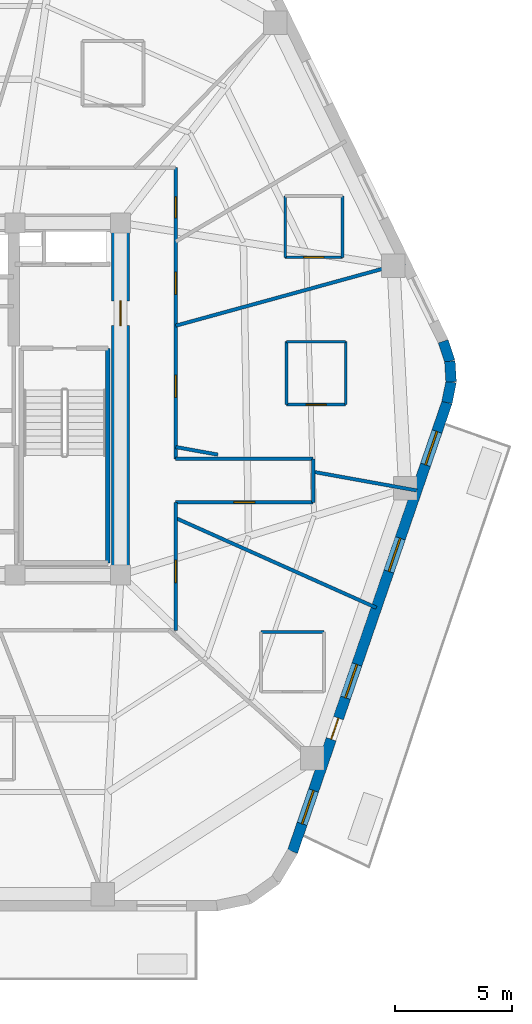
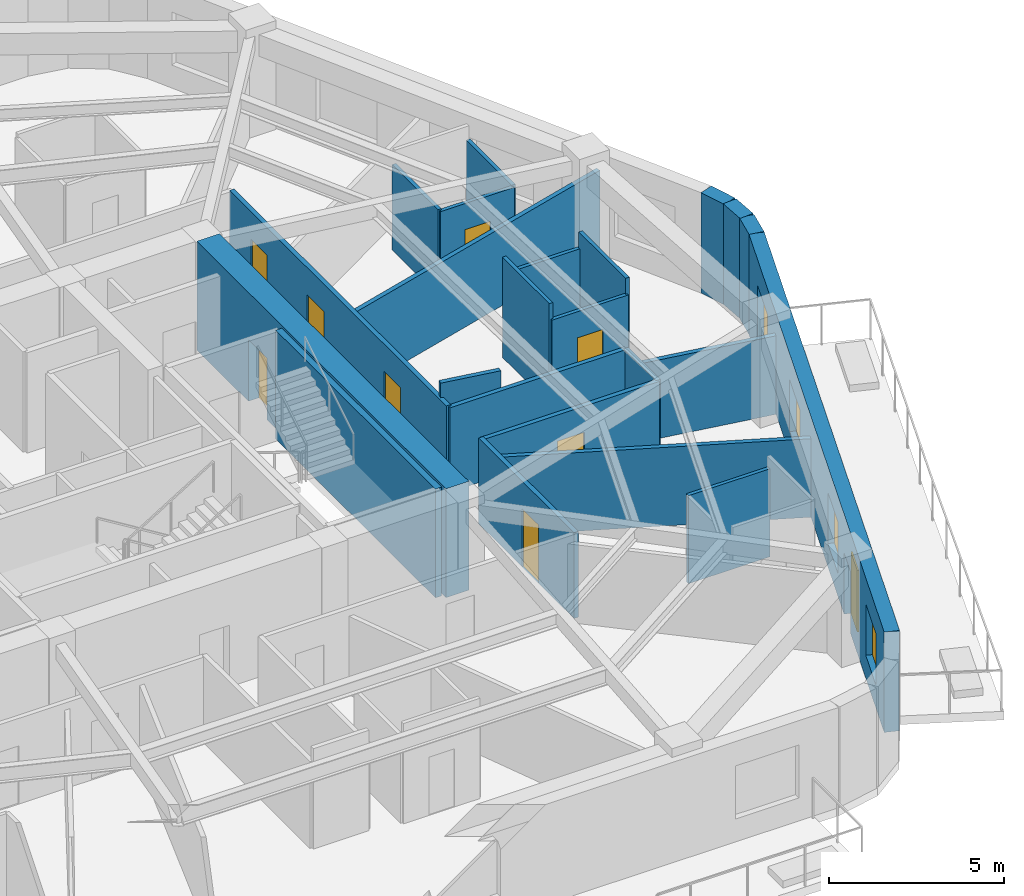
# One storey, part 5 of 9: 23 walls, 9 doors, 4 windows, 13 openings.
"""IFC4 building model written with IfcOpenShell, lengths in metres."""

from ifc_helpers import new_model, si_unit, direction, frame, frame_2d, origin, place, context, subcontext, project, spatial, rectangle, extrude, material, layer, layer_set, type_object, element, fill, save


model = new_model("IFC4")

# Units and contexts
model_context = context("Model", 3, precision=1e-05, world=origin(), true_north=direction((0.0, 1.0)))
body_context = subcontext(model_context, "Body", "Model", "MODEL_VIEW")
ifc_project = project(units=[si_unit("LENGTHUNIT", "METRE"), si_unit("AREAUNIT", "SQUARE_METRE"), si_unit("VOLUMEUNIT", "CUBIC_METRE"), si_unit("PLANEANGLEUNIT", "RADIAN"), si_unit("MASSUNIT", "GRAM", prefix="KILO")], contexts=[model_context])

# Site, building, storey
site_placement = place(None, origin())
site = spatial("IfcSite", under=ifc_project, at=site_placement, CompositionType="ELEMENT")
building_placement = place(site_placement, origin())
building = spatial("IfcBuilding", under=site, at=building_placement, Name="Kilnhurst Terrace Hotel", CompositionType="ELEMENT")
storey_placement = place(building_placement, frame((0.0, 0.0, 221.699951171875)))
storey = spatial("IfcBuildingStorey", under=building, at=storey_placement, Name="L55", CompositionType="ELEMENT", Elevation=221.699951171875)

# Walls
ifc_material_1 = material(Name="Precast concrete C40/50", Category="concrete")
ifc_layer_1 = layer(ifc_material_1, 0.449951171875, Name="Precast concrete C40/50")
ifc_layer_set_1 = layer_set([ifc_layer_1], Name="Precast concrete C40/50")
wall_type_1 = type_object("IfcWallType", Name="WL-BRK-450", PredefinedType="SOLIDWALL", material=ifc_layer_set_1)
wall_1_placement = place(storey_placement, frame((22.8984375, -0.149658203125, 0.0), z_axis=(0.0, 0.0, 1.0), x_axis=(0.199055826889, 0.979988151858, 0.0)))
element("IfcWall", 1, at=wall_1_placement, inside=storey, type_object=wall_type_1, Name="L55 Rounded Corner Brick Wall C3.1", PredefinedType="SOLIDWALL", context=body_context, shape_type="SweptSolid", body=[
    extrude(rectangle(XDim=0.89404296875, YDim=0.449951171875, at=frame_2d((0.447021484375, 0.0))), origin(), (0.0, 0.0, 1.0), 3.5),
])
wall_2_placement = place(storey_placement, frame((23.076416015625, 0.7265625, 0.0), z_axis=(0.0, 0.0, 1.0), x_axis=(-0.060805222108, 0.998149650586, 0.0)))
element("IfcWall", 2, at=wall_2_placement, inside=storey, type_object=wall_type_1, Name="L55 Rounded Corner Brick Wall C3.2", PredefinedType="SOLIDWALL", context=body_context, shape_type="SweptSolid", body=[
    extrude(rectangle(XDim=0.87939453125, YDim=0.449951171875, at=frame_2d((0.439697265625, 0.0))), origin(), (0.0, 0.0, 1.0), 3.5),
])
wall_3_placement = place(storey_placement, frame((23.02294921875, 1.604248046875, 0.0), z_axis=(0.0, 0.0, 1.0), x_axis=(-0.316801227695, 0.948491951537, 0.0)))
element("IfcWall", 3, at=wall_3_placement, inside=storey, type_object=wall_type_1, Name="L55 Rounded Corner Brick Wall C3.3", PredefinedType="SOLIDWALL", context=body_context, shape_type="SweptSolid", body=[
    extrude(rectangle(XDim=0.89404296875, YDim=0.449951171875, at=frame_2d((0.447021484375, 0.0))), origin(), (0.0, 0.0, 1.0), 3.5),
])

# Wall, openings, door, windows
wall_4_placement = place(storey_placement, frame((16.323974609375, -19.275146484375, 0.0), z_axis=(0.0, 0.0, 1.0), x_axis=(0.325083142304, 0.945685439557, 0.0)))
wall_4 = element("IfcWall", 4, at=wall_4_placement, inside=storey, type_object=wall_type_1, Name="L55 Exterior Brick Facade Wall F2", PredefinedType="SOLIDWALL", context=body_context, shape_type="SweptSolid", body=[
    extrude(rectangle(XDim=20.223876953125, YDim=0.449951171875, at=frame_2d((10.11181640625, 0.0))), origin(), (0.0, 0.0, 1.0), 3.5),
])
opening_1_placement = place(wall_4_placement, frame((5.06201171875, 0.0, 0.0)))
opening_1 = element("IfcOpeningElement", 5, at=opening_1_placement, cuts=wall_4, Name="Opening BD-950", PredefinedType="OPENING", context=body_context, shape_type="SweptSolid", body=[
    extrude(rectangle(XDim=0.949951171875, YDim=2.14990234375, at=frame_2d((0.47509765625, 1.074951171875))), frame((0.0, 0.23486328125, 0.0), z_axis=(0.0, -1.0, 0.0), x_axis=(1.0, 0.0, 0.0)), (0.0, 0.0, 1.0), 0.469970703125),
])
opening_2_placement = place(wall_4_placement, frame((1.2529296875, 0.0, 0.800048828125)))
opening_2 = element("IfcOpeningElement", 6, at=opening_2_placement, cuts=wall_4, Name="Opening W-02", PredefinedType="OPENING", context=body_context, shape_type="SweptSolid", body=[
    extrude(rectangle(XDim=1.5, YDim=1.800048828125, at=frame_2d((0.75, 0.89990234375))), frame((0.0, 0.23486328125, 0.0), z_axis=(0.0, -1.0, 0.0), x_axis=(1.0, 0.0, 0.0)), (0.0, 0.0, 1.0), 0.469970703125),
])
opening_3_placement = place(wall_4_placement, frame((6.928955078125, 0.0, 0.800048828125)))
opening_3 = element("IfcOpeningElement", 7, at=opening_3_placement, cuts=wall_4, Name="Opening W-02", PredefinedType="OPENING", context=body_context, shape_type="SweptSolid", body=[
    extrude(rectangle(XDim=1.5, YDim=1.800048828125, at=frame_2d((0.75, 0.89990234375))), frame((0.0, 0.23486328125, 0.0), z_axis=(0.0, -1.0, 0.0), x_axis=(1.0, 0.0, 0.0)), (0.0, 0.0, 1.0), 0.469970703125),
])
opening_4_placement = place(wall_4_placement, frame((12.612060546875, 0.0, 0.800048828125)))
opening_4 = element("IfcOpeningElement", 8, at=opening_4_placement, cuts=wall_4, Name="Opening W-02", PredefinedType="OPENING", context=body_context, shape_type="SweptSolid", body=[
    extrude(rectangle(XDim=1.5, YDim=1.800048828125, at=frame_2d((0.75, 0.89990234375))), frame((0.0, 0.23486328125, 0.0), z_axis=(0.0, -1.0, 0.0), x_axis=(1.0, 0.0, 0.0)), (0.0, 0.0, 1.0), 0.469970703125),
])
opening_5_placement = place(wall_4_placement, frame((17.41796875, 0.0, 0.800048828125)))
opening_5 = element("IfcOpeningElement", 9, at=opening_5_placement, cuts=wall_4, Name="Opening W-02", PredefinedType="OPENING", context=body_context, shape_type="SweptSolid", body=[
    extrude(rectangle(XDim=1.5, YDim=1.800048828125, at=frame_2d((0.75, 0.89990234375))), frame((0.0, 0.23486328125, 0.0), z_axis=(0.0, -1.0, 0.0), x_axis=(1.0, 0.0, 0.0)), (0.0, 0.0, 1.0), 0.469970703125),
])
ifc_material_2 = material(Name="Thermally Broken Bronze Aluminium Alloy 6063-T6 and Laminated Glass", Category="aluminium")
door_type_1 = type_object("IfcDoorType", Name="DR-EXT-BAL-950", OperationType="NOTDEFINED", PredefinedType="DOOR", material=ifc_material_2)
door_1_placement = place(opening_1_placement, origin())
door_1 = element("IfcDoor", 10, at=door_1_placement, inside=storey, type_object=door_type_1, Name="L55 Planted Balcony Door BAL-L1B", OperationType="SINGLE_SWING_RIGHT", OverallHeight=2.14990234375, OverallWidth=0.949951171875, PredefinedType="DOOR", context=body_context, shape_type="SweptSolid", body=[
    extrude(rectangle(XDim=0.949951171875, YDim=2.14990234375, at=frame_2d((0.47509765625, 1.074951171875))), frame((0.0, 0.02490234375, 0.0), z_axis=(0.0, -1.0, 0.0), x_axis=(1.0, 0.0, 0.0)), (0.0, 0.0, 1.0), 0.050048828125),
])
fill(opening_1, door_1)
ifc_material_3 = material(Name="Thermally Broken Bronze Aluminium Alloy 6063-T6 and Low-E Glass", Category="aluminium")
window_type = type_object("IfcWindowType", Name="WIN-1500X1800", PartitioningType="SINGLE_PANEL", PredefinedType="WINDOW", material=ifc_material_3)
window_1_placement = place(opening_2_placement, origin())
window_1 = element("IfcWindow", 11, at=window_1_placement, inside=storey, type_object=window_type, Name="L55 Deep-Set Masonry Window F2.1", OverallHeight=1.800048828125, OverallWidth=1.5, PartitioningType="SINGLE_PANEL", PredefinedType="WINDOW", context=body_context, shape_type="SweptSolid", body=[
    extrude(rectangle(XDim=1.5, YDim=1.800048828125, at=frame_2d((0.75, 0.89990234375))), frame((0.0, 0.030029296875, 0.0), z_axis=(0.0, -1.0, 0.0), x_axis=(1.0, 0.0, 0.0)), (0.0, 0.0, 1.0), 0.06005859375),
])
fill(opening_2, window_1)
window_2_placement = place(opening_3_placement, origin())
window_2 = element("IfcWindow", 12, at=window_2_placement, inside=storey, type_object=window_type, Name="L55 Deep-Set Masonry Window F2.2", OverallHeight=1.800048828125, OverallWidth=1.5, PartitioningType="SINGLE_PANEL", PredefinedType="WINDOW", context=body_context, shape_type="SweptSolid", body=[
    extrude(rectangle(XDim=1.5, YDim=1.800048828125, at=frame_2d((0.75, 0.89990234375))), frame((0.0, 0.030029296875, 0.0), z_axis=(0.0, -1.0, 0.0), x_axis=(1.0, 0.0, 0.0)), (0.0, 0.0, 1.0), 0.06005859375),
])
fill(opening_3, window_2)
window_3_placement = place(opening_4_placement, origin())
window_3 = element("IfcWindow", 13, at=window_3_placement, inside=storey, type_object=window_type, Name="L55 Deep-Set Masonry Window F2.3", OverallHeight=1.800048828125, OverallWidth=1.5, PartitioningType="SINGLE_PANEL", PredefinedType="WINDOW", context=body_context, shape_type="SweptSolid", body=[
    extrude(rectangle(XDim=1.5, YDim=1.800048828125, at=frame_2d((0.75, 0.89990234375))), frame((0.0, 0.030029296875, 0.0), z_axis=(0.0, -1.0, 0.0), x_axis=(1.0, 0.0, 0.0)), (0.0, 0.0, 1.0), 0.06005859375),
])
fill(opening_4, window_3)
window_4_placement = place(opening_5_placement, origin())
window_4 = element("IfcWindow", 14, at=window_4_placement, inside=storey, type_object=window_type, Name="L55 Deep-Set Masonry Window F2.4", OverallHeight=1.800048828125, OverallWidth=1.5, PartitioningType="SINGLE_PANEL", PredefinedType="WINDOW", context=body_context, shape_type="SweptSolid", body=[
    extrude(rectangle(XDim=1.5, YDim=1.800048828125, at=frame_2d((0.75, 0.89990234375))), frame((0.0, 0.030029296875, 0.0), z_axis=(0.0, -1.0, 0.0), x_axis=(1.0, 0.0, 0.0)), (0.0, 0.0, 1.0), 0.06005859375),
])
fill(opening_5, window_4)

# Wall, openings, doors
ifc_material_4 = material(Name="Acoustic Double-Gypsum Corridor Partition Assembly")
ifc_layer_2 = layer(ifc_material_4, 0.14990234375, Name="Acoustic Double-Gypsum Corridor Partition Assembly")
ifc_layer_set_2 = layer_set([ifc_layer_2], Name="Acoustic Double-Gypsum Corridor Partition Assembly")
wall_type_2 = type_object("IfcWallType", Name="WL-COR-150", PredefinedType="PARTITIONING", material=ifc_layer_set_2)
wall_5_placement = place(storey_placement, frame((11.35009765625, 9.85009765625, 0.0), z_axis=(0.0, 0.0, 1.0), x_axis=(0.0, -1.0, 0.0)))
wall_5 = element("IfcWall", 15, at=wall_5_placement, inside=storey, type_object=wall_type_2, Name="L55 Interior Wall WL-L55-COR-11", PredefinedType="PARTITIONING", context=body_context, shape_type="SweptSolid", body=[
    extrude(rectangle(XDim=12.400146484375, YDim=0.14990234375, at=frame_2d((6.2001953125, 0.0))), origin(), (0.0, 0.0, 1.0), 2.989990234375),
])
opening_6_placement = place(wall_5_placement, frame((4.443115234375, 0.0, 0.0)))
opening_6 = element("IfcOpeningElement", 16, at=opening_6_placement, cuts=wall_5, Name="Opening D-60B", PredefinedType="OPENING", context=body_context, shape_type="SweptSolid", body=[
    extrude(rectangle(XDim=0.949951171875, YDim=2.030029296875, at=frame_2d((0.47509765625, 1.01513671875))), frame((0.0, 0.0849609375, 0.0), z_axis=(0.0, -1.0, 0.0), x_axis=(1.0, 0.0, 0.0)), (0.0, 0.0, 1.0), 0.169921875),
])
opening_7_placement = place(wall_5_placement, frame((1.241943359375, 0.0, 0.0)))
opening_7 = element("IfcOpeningElement", 17, at=opening_7_placement, cuts=wall_5, Name="Opening D-60C", PredefinedType="OPENING", context=body_context, shape_type="SweptSolid", body=[
    extrude(rectangle(XDim=0.89990234375, YDim=2.030029296875, at=frame_2d((0.449951171875, 1.01513671875))), frame((0.0, 0.0849609375, 0.0), z_axis=(0.0, -1.0, 0.0), x_axis=(1.0, 0.0, 0.0)), (0.0, 0.0, 1.0), 0.169921875),
])
opening_8_placement = place(wall_5_placement, frame((8.8349609375, 0.0, 0.0)))
opening_8 = element("IfcOpeningElement", 18, at=opening_8_placement, cuts=wall_5, Name="Opening D-60B", PredefinedType="OPENING", context=body_context, shape_type="SweptSolid", body=[
    extrude(rectangle(XDim=0.949951171875, YDim=2.030029296875, at=frame_2d((0.47509765625, 1.01513671875))), frame((0.0, 0.0849609375, 0.0), z_axis=(0.0, -1.0, 0.0), x_axis=(1.0, 0.0, 0.0)), (0.0, 0.0, 1.0), 0.169921875),
])
ifc_material_5 = material(Name="Painted Solid-Core Service Fire Door")
door_type_2 = type_object("IfcDoorType", Name="DR-FD60-900", OperationType="NOTDEFINED", PredefinedType="DOOR", material=ifc_material_5)
door_2_placement = place(opening_7_placement, origin())
door_2 = element("IfcDoor", 19, at=door_2_placement, inside=storey, type_object=door_type_2, Name="L55 Executive Work Office Door 2", OperationType="SINGLE_SWING_RIGHT", OverallHeight=2.030029296875, OverallWidth=0.89990234375, PredefinedType="DOOR", context=body_context, shape_type="SweptSolid", body=[
    extrude(rectangle(XDim=0.89990234375, YDim=2.030029296875, at=frame_2d((0.449951171875, 1.01513671875))), frame((0.0, 0.02490234375, 0.0), z_axis=(0.0, -1.0, 0.0), x_axis=(1.0, 0.0, 0.0)), (0.0, 0.0, 1.0), 0.050048828125),
])
fill(opening_7, door_2)
ifc_material_6 = material(Name="Acoustic Walnut Veneer Solid-Core Fire Door")
door_type_3 = type_object("IfcDoorType", Name="DR-FD60-950", OperationType="NOTDEFINED", PredefinedType="DOOR", material=ifc_material_6)
door_3_placement = place(opening_6_placement, origin())
door_3 = element("IfcDoor", 20, at=door_3_placement, inside=storey, type_object=door_type_3, Name="L55 Guest Room Entry Door 1", OperationType="SINGLE_SWING_LEFT", OverallHeight=2.030029296875, OverallWidth=0.949951171875, PredefinedType="DOOR", context=body_context, shape_type="SweptSolid", body=[
    extrude(rectangle(XDim=0.949951171875, YDim=2.030029296875, at=frame_2d((0.47509765625, 1.01513671875))), frame((0.0, 0.02490234375, 0.0), z_axis=(0.0, -1.0, 0.0), x_axis=(1.0, 0.0, 0.0)), (0.0, 0.0, 1.0), 0.050048828125),
])
fill(opening_6, door_3)
door_4_placement = place(opening_8_placement, origin())
door_4 = element("IfcDoor", 21, at=door_4_placement, inside=storey, type_object=door_type_3, Name="L55 Executive Suite Entry Door 18", OperationType="SINGLE_SWING_RIGHT", OverallHeight=2.030029296875, OverallWidth=0.949951171875, PredefinedType="DOOR", context=body_context, shape_type="SweptSolid", body=[
    extrude(rectangle(XDim=0.949951171875, YDim=2.030029296875, at=frame_2d((0.47509765625, 1.01513671875))), frame((0.0, 0.02490234375, 0.0), z_axis=(0.0, -1.0, 0.0), x_axis=(1.0, 0.0, 0.0)), (0.0, 0.0, 1.0), 0.050048828125),
])
fill(opening_8, door_4)

# Walls
wall_6_placement = place(storey_placement, frame((11.35009765625, -2.550048828125, 0.0), z_axis=(0.0, 0.0, 1.0), x_axis=(1.0, 0.0, 0.0)))
element("IfcWall", 22, at=wall_6_placement, inside=storey, type_object=wall_type_2, Name="L55 Interior Wall WL-L55-COR-12", PredefinedType="PARTITIONING", context=body_context, shape_type="SweptSolid", body=[
    extrude(rectangle(XDim=5.849853515625, YDim=0.14990234375, at=frame_2d((2.9248046875, 0.0))), origin(), (0.0, 0.0, 1.0), 2.9404296875),
])
wall_7_placement = place(storey_placement, frame((17.199951171875, -2.550048828125, 0.0), z_axis=(0.0, 0.0, 1.0), x_axis=(0.0, -1.0, 0.0)))
element("IfcWall", 23, at=wall_7_placement, inside=storey, type_object=wall_type_2, Name="L55 Interior Wall WL-L55-COR-13", PredefinedType="PARTITIONING", context=body_context, shape_type="SweptSolid", body=[
    extrude(rectangle(XDim=1.849853515625, YDim=0.14990234375, at=frame_2d((0.9248046875, 0.0))), origin(), (0.0, 0.0, 1.0), 2.9404296875),
])

# Wall, opening, door
wall_8_placement = place(storey_placement, frame((17.199951171875, -4.39990234375, 0.0), z_axis=(0.0, 0.0, 1.0), x_axis=(-1.0, 0.0, 0.0)))
wall_8 = element("IfcWall", 24, at=wall_8_placement, inside=storey, type_object=wall_type_2, Name="L55 Interior Wall WL-L55-COR-14", PredefinedType="PARTITIONING", context=body_context, shape_type="SweptSolid", body=[
    extrude(rectangle(XDim=5.849853515625, YDim=0.14990234375, at=frame_2d((2.9248046875, 0.0))), origin(), (0.0, 0.0, 1.0), 2.9404296875),
])
opening_9_placement = place(wall_8_placement, frame((2.47509765625, 0.0, 0.0)))
opening_9 = element("IfcOpeningElement", 25, at=opening_9_placement, cuts=wall_8, Name="Opening D-60C", PredefinedType="OPENING", context=body_context, shape_type="SweptSolid", body=[
    extrude(rectangle(XDim=0.89990234375, YDim=2.030029296875, at=frame_2d((0.449951171875, 1.01513671875))), frame((0.0, 0.0849609375, 0.0), z_axis=(0.0, -1.0, 0.0), x_axis=(1.0, 0.0, 0.0)), (0.0, 0.0, 1.0), 0.169921875),
])
door_5_placement = place(opening_9_placement, origin())
door_5 = element("IfcDoor", 26, at=door_5_placement, inside=storey, type_object=door_type_2, Name="L55 Executive Work Office Door 17", OperationType="SINGLE_SWING_LEFT", OverallHeight=2.030029296875, OverallWidth=0.89990234375, PredefinedType="DOOR", context=body_context, shape_type="SweptSolid", body=[
    extrude(rectangle(XDim=0.89990234375, YDim=2.030029296875, at=frame_2d((0.449951171875, 1.01513671875))), frame((0.0, 0.02490234375, 0.0), z_axis=(0.0, -1.0, 0.0), x_axis=(1.0, 0.0, 0.0)), (0.0, 0.0, 1.0), 0.050048828125),
])
fill(opening_9, door_5)

wall_9_placement = place(storey_placement, frame((11.35009765625, -4.39990234375, 0.0), z_axis=(0.0, 0.0, 1.0), x_axis=(0.0, -1.0, 0.0)))
wall_9 = element("IfcWall", 27, at=wall_9_placement, inside=storey, type_object=wall_type_2, Name="L55 Interior Wall WL-L55-COR-15", PredefinedType="PARTITIONING", context=body_context, shape_type="SweptSolid", body=[
    extrude(rectangle(XDim=5.4501953125, YDim=0.14990234375, at=frame_2d((2.72509765625, 0.0))), origin(), (0.0, 0.0, 1.0), 2.989990234375),
])
opening_10_placement = place(wall_9_placement, frame((2.466064453125, 0.0, 0.0)))
opening_10 = element("IfcOpeningElement", 28, at=opening_10_placement, cuts=wall_9, Name="Opening D-60B", PredefinedType="OPENING", context=body_context, shape_type="SweptSolid", body=[
    extrude(rectangle(XDim=0.949951171875, YDim=2.030029296875, at=frame_2d((0.47509765625, 1.01513671875))), frame((0.0, 0.0849609375, 0.0), z_axis=(0.0, -1.0, 0.0), x_axis=(1.0, 0.0, 0.0)), (0.0, 0.0, 1.0), 0.169921875),
])
door_6_placement = place(opening_10_placement, origin())
door_6 = element("IfcDoor", 29, at=door_6_placement, inside=storey, type_object=door_type_3, Name="L55 Guest Room Entry Door 16", OperationType="SINGLE_SWING_RIGHT", OverallHeight=2.030029296875, OverallWidth=0.949951171875, PredefinedType="DOOR", context=body_context, shape_type="SweptSolid", body=[
    extrude(rectangle(XDim=0.949951171875, YDim=2.030029296875, at=frame_2d((0.47509765625, 1.01513671875))), frame((0.0, 0.02490234375, 0.0), z_axis=(0.0, -1.0, 0.0), x_axis=(1.0, 0.0, 0.0)), (0.0, 0.0, 1.0), 0.050048828125),
])
fill(opening_10, door_6)

ifc_material_7 = material(Name="Concrete C60/75", Category="concrete")
ifc_layer_3 = layer(ifc_material_7, 0.75, Name="Concrete C60/75")
ifc_layer_set_3 = layer_set([ifc_layer_3], Name="Concrete C60/75")
wall_type_3 = type_object("IfcWallType", Name="WL-CORE-750", PredefinedType="SHEAR", material=ifc_layer_set_3)
wall_10_placement = place(storey_placement, frame((9.0, -7.125, 0.0), z_axis=(0.0, 0.0, 1.0), x_axis=(0.0, 1.0, 0.0)))
wall_10 = element("IfcWall", 30, at=wall_10_placement, inside=storey, type_object=wall_type_3, Name="L55 Core East Shear Wall", PredefinedType="SHEAR", context=body_context, shape_type="SweptSolid", body=[
    extrude(rectangle(XDim=14.25, YDim=0.75, at=frame_2d((7.125, 0.0))), origin(), (0.0, 0.0, 1.0), 3.800048828125),
])
opening_11_placement = place(wall_10_placement, frame((10.25, 0.0, 0.0)))
opening_11 = element("IfcOpeningElement", 31, at=opening_11_placement, cuts=wall_10, Name="Opening D-90A", PredefinedType="OPENING", context=body_context, shape_type="SweptSolid", body=[
    extrude(rectangle(XDim=1.050048828125, YDim=2.14990234375, at=frame_2d((0.52490234375, 1.074951171875))), frame((0.0, 0.385009765625, 0.0), z_axis=(0.0, -1.0, 0.0), x_axis=(1.0, 0.0, 0.0)), (0.0, 0.0, 1.0), 0.77001953125),
])
ifc_material_8 = material(Name="Painted Hollow Metal Steel ASTM A36 Fire Door", Category="steel")
door_type_4 = type_object("IfcDoorType", Name="DR-FD90-1050", OperationType="NOTDEFINED", PredefinedType="DOOR", material=ifc_material_8)
door_7_placement = place(opening_11_placement, origin())
door_7 = element("IfcDoor", 32, at=door_7_placement, inside=storey, type_object=door_type_4, Name="L55 East Firefighting Lobby Door", OperationType="SINGLE_SWING_LEFT", OverallHeight=2.14990234375, OverallWidth=1.050048828125, PredefinedType="DOOR", context=body_context, shape_type="SweptSolid", body=[
    extrude(rectangle(XDim=1.050048828125, YDim=2.14990234375, at=frame_2d((0.52490234375, 1.074951171875))), frame((0.0, 0.02490234375, 0.0), z_axis=(0.0, -1.0, 0.0), x_axis=(1.0, 0.0, 0.0)), (0.0, 0.0, 1.0), 0.050048828125),
])
fill(opening_11, door_7)

# Walls
ifc_material_9 = material(Name="STC-58 Acoustic Twin-Frame Guestroom Demising Partition")
ifc_layer_4 = layer(ifc_material_9, 0.14990234375, Name="STC-58 Acoustic Twin-Frame Guestroom Demising Partition")
ifc_layer_set_4 = layer_set([ifc_layer_4], Name="STC-58 Acoustic Twin-Frame Guestroom Demising Partition")
wall_type_4 = type_object("IfcWallType", Name="WL-DEM-150", PredefinedType="PARTITIONING", material=ifc_layer_set_4)
wall_11_placement = place(storey_placement, frame((11.35009765625, 3.12060546875, 0.0), z_axis=(0.0, 0.0, 1.0), x_axis=(0.964212793822, 0.265129568758, 0.0)))
element("IfcWall", 33, at=wall_11_placement, inside=storey, type_object=wall_type_4, Name="L55 Interior Wall WL-L55-DEM-COL01-01-1", PredefinedType="PARTITIONING", context=body_context, shape_type="SweptSolid", body=[
    extrude(rectangle(XDim=10.119873046875, YDim=0.14990234375, at=frame_2d((5.06005859375, 0.0))), origin(), (0.0, 0.0, 1.0), 2.739990234375),
])
wall_12_placement = place(storey_placement, frame((11.35009765625, -5.072021484375, 0.0), z_axis=(0.0, 0.0, 1.0), x_axis=(0.912980177983, -0.408003914944, 0.0)))
element("IfcWall", 34, at=wall_12_placement, inside=storey, type_object=wall_type_4, Name="L55 Interior Wall WL-L55-DEM-MID11-17-1", PredefinedType="PARTITIONING", context=body_context, shape_type="SweptSolid", body=[
    extrude(rectangle(XDim=9.358154296875, YDim=0.14990234375, at=frame_2d((4.67919921875, 0.0))), origin(), (0.0, 0.0, 1.0), 2.739990234375),
])
wall_13_placement = place(storey_placement, frame((11.35009765625, -2.046142578125, 0.0), z_axis=(0.0, 0.0, 1.0), x_axis=(0.984127783205, -0.177461281195, 0.0)))
element("IfcWall", 35, at=wall_13_placement, inside=storey, type_object=wall_type_4, Name="L55 Interior Wall WL-L55-DEM-COL12-18-1", PredefinedType="PARTITIONING", context=body_context, shape_type="SweptSolid", body=[
    extrude(rectangle(XDim=1.82568359375, YDim=0.14990234375, at=frame_2d((0.912841796875, 0.0))), origin(), (0.0, 0.0, 1.0), 3.5),
])
wall_14_placement = place(storey_placement, frame((17.199951171875, -3.1005859375, 0.0), z_axis=(0.0, 0.0, 1.0), x_axis=(0.98413465883, -0.177423147559, 0.0)))
element("IfcWall", 36, at=wall_14_placement, inside=storey, type_object=wall_type_4, Name="L55 Interior Wall WL-L55-DEM-COL12-18-2", PredefinedType="PARTITIONING", context=body_context, shape_type="SweptSolid", body=[
    extrude(rectangle(XDim=4.481689453125, YDim=0.14990234375, at=frame_2d((2.24072265625, 0.0))), origin(), (0.0, 0.0, 1.0), 2.739990234375),
])

# Wall, opening, door
ifc_material_10 = material(Name="120 mm Moisture-Resistant Tile-Backed Bathroom Partition")
ifc_layer_5 = layer(ifc_material_10, 0.1201171875, Name="120 mm Moisture-Resistant Tile-Backed Bathroom Partition")
ifc_layer_set_5 = layer_set([ifc_layer_5], Name="120 mm Moisture-Resistant Tile-Backed Bathroom Partition")
wall_type_5 = type_object("IfcWallType", Name="WL-PART-120", PredefinedType="PARTITIONING", material=ifc_layer_set_5)
wall_15_placement = place(storey_placement, frame((16.011962890625, 6.033935546875, 0.0), z_axis=(0.0, 0.0, 1.0), x_axis=(1.0, 0.0, 0.0)))
wall_15 = element("IfcWall", 37, at=wall_15_placement, inside=storey, type_object=wall_type_5, Name="L55 Interior Wall WL-L55-BTH-01-1", PredefinedType="PARTITIONING", context=body_context, shape_type="SweptSolid", body=[
    extrude(rectangle(XDim=2.43994140625, YDim=0.1201171875, at=frame_2d((1.219970703125, 0.0))), origin(), (0.0, 0.0, 1.0), 2.9404296875),
])
opening_12_placement = place(wall_15_placement, frame((0.794921875, 0.0, 0.0)))
opening_12 = element("IfcOpeningElement", 38, at=opening_12_placement, cuts=wall_15, Name="Opening D-08A", PredefinedType="OPENING", context=body_context, shape_type="SweptSolid", body=[
    extrude(rectangle(XDim=0.85009765625, YDim=2.030029296875, at=frame_2d((0.425048828125, 1.01513671875))), frame((0.0, 0.070068359375, 0.0), z_axis=(0.0, -1.0, 0.0), x_axis=(1.0, 0.0, 0.0)), (0.0, 0.0, 1.0), 0.14013671875),
])
ifc_material_11 = material(Name="Moisture-Resistant Lacquered En-suite Bathroom Door")
door_type_5 = type_object("IfcDoorType", Name="DR-INT-850", OperationType="NOTDEFINED", PredefinedType="DOOR", material=ifc_material_11)
door_8_placement = place(opening_12_placement, origin())
door_8 = element("IfcDoor", 39, at=door_8_placement, inside=storey, type_object=door_type_5, Name="L55 En-suite Bathroom Door 1", OperationType="SINGLE_SWING_RIGHT", OverallHeight=2.030029296875, OverallWidth=0.85009765625, PredefinedType="DOOR", context=body_context, shape_type="SweptSolid", body=[
    extrude(rectangle(XDim=0.85009765625, YDim=2.030029296875, at=frame_2d((0.425048828125, 1.01513671875))), frame((0.0, 0.02490234375, 0.0), z_axis=(0.0, -1.0, 0.0), x_axis=(1.0, 0.0, 0.0)), (0.0, 0.0, 1.0), 0.050048828125),
])
fill(opening_12, door_8)

# Walls
for number, where, z_axis, x_axis, name in (
    (40, (18.451904296875, 6.033935546875, 0.0), (0.0, 0.0, 1.0), (0.0, 1.0, 0.0), "L55 Interior Wall WL-L55-BTH-01-2"),
    (41, (16.011962890625, 8.64404296875, 0.0), (0.0, 0.0, 1.0), (0.0, -1.0, 0.0), "L55 Interior Wall WL-L55-BTH-01-4"),
):
    element("IfcWall", number, at=place(storey_placement, frame(where, z_axis=z_axis, x_axis=x_axis)), inside=storey, type_object=wall_type_5, Name=name, PredefinedType="PARTITIONING", context=body_context, shape_type="SweptSolid", body=[
        extrude(rectangle(XDim=2.610107421875, YDim=0.1201171875, at=frame_2d((1.30517578125, 0.0))), origin(), (0.0, 0.0, 1.0), 2.989990234375),
    ])
wall_16_placement = place(storey_placement, frame((17.656982421875, -9.927978515625, 0.0), z_axis=(0.0, 0.0, 1.0), x_axis=(-1.0, 0.0, 0.0)))
element("IfcWall", 42, at=wall_16_placement, inside=storey, type_object=wall_type_5, Name="L55 Interior Wall WL-L55-BTH-16-3", PredefinedType="PARTITIONING", context=body_context, shape_type="SweptSolid", body=[
    extrude(rectangle(XDim=2.679931640625, YDim=0.1201171875, at=frame_2d((1.33984375, 0.0))), origin(), (0.0, 0.0, 1.0), 3.072509765625),
])

# Wall, opening, door
wall_17_placement = place(storey_placement, frame((16.06591796875, -0.239013671875, 0.0), z_axis=(0.0, 0.0, 1.0), x_axis=(1.0, 0.0, 0.0)))
wall_17 = element("IfcWall", 43, at=wall_17_placement, inside=storey, type_object=wall_type_5, Name="L55 Interior Wall WL-L55-BTH-18-1", PredefinedType="PARTITIONING", context=body_context, shape_type="SweptSolid", body=[
    extrude(rectangle(XDim=2.52001953125, YDim=0.1201171875, at=frame_2d((1.260009765625, 0.0))), origin(), (0.0, 0.0, 1.0), 2.9404296875),
])
opening_13_placement = place(wall_17_placement, frame((0.8349609375, 0.0, 0.0)))
opening_13 = element("IfcOpeningElement", 44, at=opening_13_placement, cuts=wall_17, Name="Opening D-08A", PredefinedType="OPENING", context=body_context, shape_type="SweptSolid", body=[
    extrude(rectangle(XDim=0.85009765625, YDim=2.030029296875, at=frame_2d((0.425048828125, 1.01513671875))), frame((0.0, 0.070068359375, 0.0), z_axis=(0.0, -1.0, 0.0), x_axis=(1.0, 0.0, 0.0)), (0.0, 0.0, 1.0), 0.14013671875),
])
door_9_placement = place(opening_13_placement, origin())
door_9 = element("IfcDoor", 45, at=door_9_placement, inside=storey, type_object=door_type_5, Name="L55 En-suite Bathroom Door 18", OperationType="SINGLE_SWING_LEFT", OverallHeight=2.030029296875, OverallWidth=0.85009765625, PredefinedType="DOOR", context=body_context, shape_type="SweptSolid", body=[
    extrude(rectangle(XDim=0.85009765625, YDim=2.030029296875, at=frame_2d((0.425048828125, 1.01513671875))), frame((0.0, 0.02490234375, 0.0), z_axis=(0.0, -1.0, 0.0), x_axis=(1.0, 0.0, 0.0)), (0.0, 0.0, 1.0), 0.050048828125),
])
fill(opening_13, door_9)

# Walls
wall_18_placement = place(storey_placement, frame((18.5859375, -0.239013671875, 0.0), z_axis=(0.0, 0.0, 1.0), x_axis=(0.0, 1.0, 0.0)))
element("IfcWall", 46, at=wall_18_placement, inside=storey, type_object=wall_type_5, Name="L55 Interior Wall WL-L55-BTH-18-2", PredefinedType="PARTITIONING", context=body_context, shape_type="SweptSolid", body=[
    extrude(rectangle(XDim=2.679931640625, YDim=0.1201171875, at=frame_2d((1.33984375, 0.0))), origin(), (0.0, 0.0, 1.0), 3.5),
])
wall_19_placement = place(storey_placement, frame((18.5859375, 2.44091796875, 0.0), z_axis=(0.0, 0.0, 1.0), x_axis=(-1.0, 0.0, 0.0)))
element("IfcWall", 47, at=wall_19_placement, inside=storey, type_object=wall_type_5, Name="L55 Interior Wall WL-L55-BTH-18-3", PredefinedType="PARTITIONING", context=body_context, shape_type="SweptSolid", body=[
    extrude(rectangle(XDim=2.52001953125, YDim=0.1201171875, at=frame_2d((1.260009765625, 0.0))), origin(), (0.0, 0.0, 1.0), 2.9404296875),
])
wall_20_placement = place(storey_placement, frame((16.06591796875, 2.44091796875, 0.0), z_axis=(0.0, 0.0, 1.0), x_axis=(0.0, -1.0, 0.0)))
element("IfcWall", 48, at=wall_20_placement, inside=storey, type_object=wall_type_5, Name="L55 Interior Wall WL-L55-BTH-18-4", PredefinedType="PARTITIONING", context=body_context, shape_type="SweptSolid", body=[
    extrude(rectangle(XDim=2.679931640625, YDim=0.1201171875, at=frame_2d((1.33984375, 0.0))), origin(), (0.0, 0.0, 1.0), 3.5),
])
ifc_material_12 = material(Name="Concrete C50/60", Category="concrete")
ifc_layer_6 = layer(ifc_material_12, 0.199951171875, Name="Concrete C50/60")
ifc_layer_set_6 = layer_set([ifc_layer_6], Name="Concrete C50/60")
wall_type_6 = type_object("IfcWallType", Name="WL-STAIR-RC-200", PredefinedType="SHEAR", material=ifc_layer_set_6)
wall_21_placement = place(storey_placement, frame((8.4580078125, -6.985107421875, 0.0), z_axis=(0.0, 0.0, 1.0), x_axis=(0.0, 1.0, 0.0)))
element("IfcWall", 49, at=wall_21_placement, inside=storey, type_object=wall_type_6, Name="L55 Structural Stair Shaft Wall WL-L55-ST2-E", PredefinedType="SHEAR", context=body_context, shape_type="SweptSolid", body=[
    extrude(rectangle(XDim=9.14306640625, YDim=0.199951171875, at=frame_2d((4.571533203125, 0.0))), origin(), (0.0, 0.0, 1.0), 3.800048828125),
])

save(model, "model.ifc")
